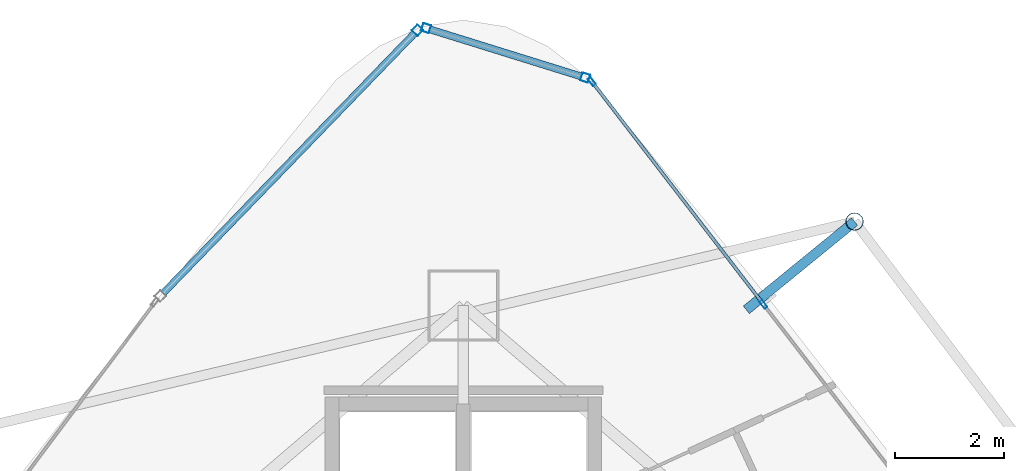
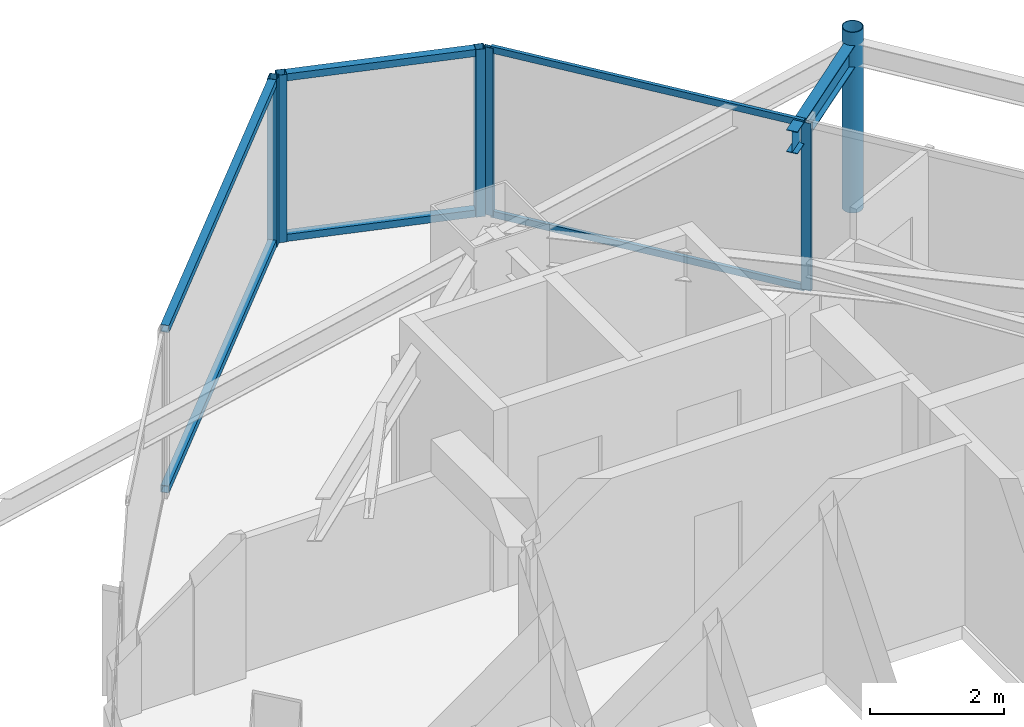
# One storey, part 26 of 34: 12 members, 1 beam, 3 elements without a shape of their own.
"""IFC4 building model written with IfcOpenShell, lengths in metres."""

import ifcopenshell
import ifcopenshell.guid

model = None  # the IFC model being written
_history = None  # IfcOwnerHistory: only IFC2X3 demands one
_inside = {}  # id of a spatial element -> (the spatial element, [elements in it])
_under = {}  # id of a project, library or spatial element -> (it, [spatial elements below it])
_declared = {}  # id of a project -> (the project, [libraries it declares])
_typed = {}  # id of a type object -> (the type object, [elements of that type])
_made_of = {}  # id of a material, layer set ... -> (it, [elements and type objects made of it])


def new_model(schema):
    """Start an empty IFC model of exactly this schema.

    Asked for "IFC4X3", IfcOpenShell would pick the latest addendum, in which some entities
    have other attributes; the version numbers below select the first issue.
    IFC2X3 requires an IfcOwnerHistory on every rooted entity: one is made here for all.
    """
    global model, _history
    if schema == "IFC4X3":
        model = ifcopenshell.file(schema_version=(4, 3, 0, 0))
    else:
        model = ifcopenshell.file(schema=schema)
    _inside.clear()
    _under.clear()
    _declared.clear()
    _typed.clear()
    _made_of.clear()
    _history = None
    if model.schema == "IFC2X3":
        org = make("IfcOrganization", Name="unknown")
        user = make(
            "IfcPersonAndOrganization",
            ThePerson=make("IfcPerson", FamilyName="unknown"),
            TheOrganization=org,
        )
        app = make(
            "IfcApplication",
            ApplicationDeveloper=org,
            Version="unknown",
            ApplicationFullName="unknown",
            ApplicationIdentifier="unknown",
        )
        _history = make(
            "IfcOwnerHistory",
            OwningUser=user,
            OwningApplication=app,
            ChangeAction="ADDED",
            CreationDate=0,
        )
    return model


def make(cls, **values):
    """One entity of the class cls with the attributes given. An attribute that is None is left unset."""
    return model.create_entity(
        cls, **{name: value for name, value in values.items() if value is not None}
    )


def rooted(cls, **values):
    """An entity with a GlobalId (a new one), such as an element, a storey or a relation."""
    return make(cls, GlobalId=ifcopenshell.guid.new(), OwnerHistory=_history, **values)


def si_unit(unit_type, name, prefix=None):
    """IfcSIUnit, for example si_unit("LENGTHUNIT", "METRE", prefix="MILLI")."""
    return make("IfcSIUnit", UnitType=unit_type, Prefix=prefix, Name=name)


def assignment(units):
    """IfcUnitAssignment: the units of a project."""
    return None if units is None else make("IfcUnitAssignment", Units=units)


def point(xyz):
    """IfcCartesianPoint."""
    return None if xyz is None else make("IfcCartesianPoint", Coordinates=xyz)


def direction(xyz):
    """IfcDirection."""
    return None if xyz is None else make("IfcDirection", DirectionRatios=xyz)


def frame(location, z_axis=None, x_axis=None):
    """IfcAxis2Placement3D, a coordinate frame: its origin and axes. An axis left out is left unset."""
    return make(
        "IfcAxis2Placement3D",
        Location=point(location),
        Axis=direction(z_axis),
        RefDirection=direction(x_axis),
    )


def frame_2d(location, x_axis=None):
    """IfcAxis2Placement2D, a coordinate frame in the plane: its origin and x axis."""
    return make(
        "IfcAxis2Placement2D", Location=point(location), RefDirection=direction(x_axis)
    )


def origin():
    """The frame at (0, 0, 0) with its axes left unset."""
    return frame((0.0, 0.0, 0.0))


def origin_2d():
    """The frame at (0, 0) in the plane with its x axis left unset."""
    return frame_2d((0.0, 0.0))


def place(relative_to, where):
    """IfcLocalPlacement: puts the frame where relative to a parent placement (None: the world)."""
    return make(
        "IfcLocalPlacement", PlacementRelTo=relative_to, RelativePlacement=where
    )


def context(
    kind, dimensions, precision=None, world=None, true_north=None, identifier=None
):
    """IfcGeometricRepresentationContext, for example the 3D "Model" context."""
    return make(
        "IfcGeometricRepresentationContext",
        ContextIdentifier=identifier,
        ContextType=kind,
        CoordinateSpaceDimension=dimensions,
        Precision=precision,
        WorldCoordinateSystem=world,
        TrueNorth=true_north,
    )


def subcontext(parent, identifier, kind, view, scale=None):
    """IfcGeometricRepresentationSubContext, for example "Body" below "Model"."""
    return make(
        "IfcGeometricRepresentationSubContext",
        ContextIdentifier=identifier,
        ContextType=kind,
        ParentContext=parent,
        TargetScale=scale,
        TargetView=view,
    )


def project(units=None, contexts=None):
    """IfcProject with its units and contexts."""
    return rooted(
        "IfcProject",
        Name="project",
        RepresentationContexts=contexts,
        UnitsInContext=assignment(units),
    )


def spatial(cls, under=None, at=None, **own):
    """A site, building, storey or space (cls), placed at a placement, below another one or the project."""
    s = rooted(cls, ObjectPlacement=at, **own)
    if under is not None:
        _under.setdefault(under.id(), (under, []))[1].append(s)
    return s


def profile(cls, at=None, kind="AREA", **sizes):
    """A parametric profile (cls). Its sizes go by their IFC names, for example OverallWidth=200.0."""
    return make(cls, ProfileType=kind, Position=at, **sizes)


def hollow_rectangle(**sizes):
    """IfcRectangleHollowProfileDef."""
    return profile("IfcRectangleHollowProfileDef", **sizes)


def hollow_circle(**sizes):
    """IfcCircleHollowProfileDef."""
    return profile("IfcCircleHollowProfileDef", **sizes)


def i_section(**sizes):
    """IfcIShapeProfileDef."""
    return profile("IfcIShapeProfileDef", **sizes)


def extrude(swept, where, along, depth):
    """IfcExtrudedAreaSolid: the profile swept, set in the frame where, extruded along a direction by depth."""
    return make(
        "IfcExtrudedAreaSolid",
        SweptArea=swept,
        Position=where,
        ExtrudedDirection=direction(along),
        Depth=depth,
    )


def shape(context_of_items, identifier, shape_type, items):
    """IfcShapeRepresentation: the items that make up one representation, for example the "Body"."""
    return make(
        "IfcShapeRepresentation",
        ContextOfItems=context_of_items,
        RepresentationIdentifier=identifier,
        RepresentationType=shape_type,
        Items=items,
    )


def material(Name=None, Category=None):
    """IfcMaterial."""
    return make("IfcMaterial", Name=Name, Category=Category)


def layer(
    of_material, thickness, ventilated=None, Name=None, Category=None, Priority=None
):
    """IfcMaterialLayer: one layer of a wall or slab, of a material (None: an air gap)."""
    return make(
        "IfcMaterialLayer",
        Material=of_material,
        LayerThickness=thickness,
        IsVentilated=ventilated,
        Name=Name,
        Category=Category,
        Priority=Priority,
    )


def layer_set(layers, Name=None):
    """IfcMaterialLayerSet."""
    return make("IfcMaterialLayerSet", MaterialLayers=layers, LayerSetName=Name)


def material_profile(
    of_material, cross_section, Name=None, Category=None, Priority=None
):
    """IfcMaterialProfile: a cross section and its material."""
    return make(
        "IfcMaterialProfile",
        Name=Name,
        Material=of_material,
        Profile=cross_section,
        Priority=Priority,
        Category=Category,
    )


def profile_set(profiles, Name=None, composite=None):
    """IfcMaterialProfileSet."""
    return make(
        "IfcMaterialProfileSet",
        Name=Name,
        MaterialProfiles=profiles,
        CompositeProfile=composite,
    )


def made_of(thing, what):
    """Note that an element or type object is made of a material, layer set ...; save() writes the relation."""
    if what is not None:
        _made_of.setdefault(what.id(), (what, []))[1].append(thing)
    return thing


def type_object(cls, material=None, **own):
    """A type object (cls), such as IfcWallType, which elements share."""
    return made_of(rooted(cls, **own), material)


def element(
    cls,
    number,
    at=None,
    inside=None,
    cuts=None,
    type_object=None,
    material=None,
    context=None,
    identifier="Body",
    shape_type=None,
    held_by="IfcProductDefinitionShape",
    body=None,
    shapes=None,
    **own,
):
    """One element of the class cls, such as IfcWall. Its Tag is "e" and its number.

    at: its placement. inside: the storey or other place that contains it. cuts: it is an
    opening in that element (IfcRelVoidsElement). A single representation is given by context,
    identifier, shape_type and body (its items); several are given by shapes. held_by: the class
    of the entity that holds the representations. save() writes the other relations.
    """
    e = rooted(cls, Tag="e%d" % number, ObjectPlacement=at, **own)
    if body is not None:
        shapes = [shape(context, identifier, shape_type, body)]
    if shapes is not None:
        e.Representation = make(held_by, Representations=shapes)
    if inside is not None:
        _inside.setdefault(inside.id(), (inside, []))[1].append(e)
    if cuts is not None:
        rooted(
            "IfcRelVoidsElement", RelatingBuildingElement=cuts, RelatedOpeningElement=e
        )
    if type_object is not None:
        _typed.setdefault(type_object.id(), (type_object, []))[1].append(e)
    return made_of(e, material)


def aggregate(whole, parts):
    """IfcRelAggregates: a whole, such as a stair, and the parts it consists of."""
    return rooted("IfcRelAggregates", RelatingObject=whole, RelatedObjects=parts)


def save(model, path):
    """Write the relations noted so far, then the file.

    IfcRelAggregates (storeys below a building ...), IfcRelContainedInSpatialStructure (elements
    in a storey), IfcRelDefinesByType, IfcRelAssociatesMaterial and IfcRelDeclares: one each for
    every whole, place, type object, material and project.
    """
    for whole, parts in _under.values():
        aggregate(whole, parts)
    for where, things in _inside.values():
        rooted(
            "IfcRelContainedInSpatialStructure",
            RelatedElements=things,
            RelatingStructure=where,
        )
    for kind, things in _typed.values():
        rooted("IfcRelDefinesByType", RelatedObjects=things, RelatingType=kind)
    for what, things in _made_of.values():
        rooted("IfcRelAssociatesMaterial", RelatedObjects=things, RelatingMaterial=what)
    for by, libraries in _declared.values():
        rooted("IfcRelDeclares", RelatingContext=by, RelatedDefinitions=libraries)
    model.write(path)


model = new_model("IFC4")

# Units and contexts
model_context = context("Model", 3, precision=1e-05, world=origin(), true_north=direction((0.0, 1.0)))
body_context = subcontext(model_context, "Body", "Model", "MODEL_VIEW")
ifc_project = project(units=[si_unit("LENGTHUNIT", "METRE"), si_unit("AREAUNIT", "SQUARE_METRE"), si_unit("VOLUMEUNIT", "CUBIC_METRE"), si_unit("PLANEANGLEUNIT", "RADIAN"), si_unit("MASSUNIT", "GRAM", prefix="KILO")], contexts=[model_context])

# Site, building, storey
site_placement = place(None, origin())
site = spatial("IfcSite", under=ifc_project, at=site_placement, CompositionType="ELEMENT")
building_placement = place(site_placement, origin())
building = spatial("IfcBuilding", under=site, at=building_placement, Name="Orvanel Arch Residences", CompositionType="ELEMENT")
storey_placement = place(building_placement, frame((0.0, 0.0, 199.699951171875)))
storey = spatial("IfcBuildingStorey", under=building, at=storey_placement, Name="L56", CompositionType="ELEMENT", Elevation=199.699951171875)

# Curtain wall, members
ifc_material_1 = material(Name="Bronze-anodised aluminium AA6063-T6", Category="aluminium")
ifc_layer_1 = layer(ifc_material_1, 0.18994140625)
ifc_layer_set_1 = layer_set([ifc_layer_1], Name="Bronze-anodised aluminium AA6063-T6")
curtain_wall_type_1 = type_object("IfcCurtainWallType", Name="CW5-CRN-SYS", PredefinedType="NOTDEFINED", material=ifc_layer_set_1)
curtain_wall_1_placement = place(storey_placement, origin())
curtain_wall_1 = element("IfcCurtainWall", 1, at=curtain_wall_1_placement, inside=storey, type_object=curtain_wall_type_1, Name="L56 CW5-CRN-SYS Unitised Curtain Wall", PredefinedType="NOTDEFINED")
ifc_material_profile_1 = material_profile(ifc_material_1, hollow_rectangle(XDim=0.14990234375, YDim=0.14990234375, WallThickness=0.0048828125, at=origin_2d()), Name="ALU150x150x5")
ifc_profile_set_1 = profile_set([ifc_material_profile_1], Name="Bronze-anodised aluminium AA6063-T6")
member_type_1 = type_object("IfcMemberType", Name="MUL-150x150", PredefinedType="MULLION", material=ifc_profile_set_1)
member_1_placement = place(storey_placement, frame((35.225341796875, 45.560302734375, 0.0), z_axis=(0.0, 0.0, 1.0), x_axis=(-0.297098267705, -0.954846908843, 0.0)))
member_1 = element("IfcMember", 2, at=member_1_placement, type_object=member_type_1, Name="CW-S5 mullion 1", PredefinedType="MULLION", context=body_context, shape_type="SweptSolid", body=[
    extrude(hollow_rectangle(XDim=0.14990234375, YDim=0.14990234375, WallThickness=0.0048828125, at=origin_2d()), origin(), (0.0, 0.0, 1.0), 3.06005859375),
])
member_2_placement = place(storey_placement, frame((32.318603515625, 46.464599609375, 0.0), z_axis=(0.0, 0.0, 1.0), x_axis=(-0.297098267705, -0.954846908843, 0.0)))
member_2 = element("IfcMember", 3, at=member_2_placement, type_object=member_type_1, Name="CW-S5 mullion 2", PredefinedType="MULLION", context=body_context, shape_type="SweptSolid", body=[
    extrude(hollow_rectangle(XDim=0.14990234375, YDim=0.14990234375, WallThickness=0.0048828125, at=origin_2d()), origin(), (0.0, 0.0, 1.0), 3.06005859375),
])

# Curtain wall, member
curtain_wall_2_placement = place(storey_placement, origin())
curtain_wall_2 = element("IfcCurtainWall", 4, at=curtain_wall_2_placement, inside=storey, type_object=curtain_wall_type_1, Name="L56 CW5-CRN-SYS Unitised Curtain Wall", PredefinedType="NOTDEFINED")
member_3_placement = place(storey_placement, frame((32.161865234375, 46.425048828125, 0.0), z_axis=(0.0, 0.0, 1.0), x_axis=(0.718665152295, -0.695356310733, 0.0)))
member_3 = element("IfcMember", 5, at=member_3_placement, type_object=member_type_1, Name="CW-S5 mullion 1", PredefinedType="MULLION", context=body_context, shape_type="SweptSolid", body=[
    extrude(hollow_rectangle(XDim=0.14990234375, YDim=0.14990234375, WallThickness=0.0048828125, at=origin_2d()), origin(), (0.0, 0.0, 1.0), 3.06005859375),
])

# Curtain wall, members
ifc_layer_2 = layer(ifc_material_1, 0.175048828125)
ifc_layer_set_2 = layer_set([ifc_layer_2], Name="Bronze-anodised aluminium AA6063-T6")
curtain_wall_type_2 = type_object("IfcCurtainWallType", Name="CW4-HI-SYS", PredefinedType="NOTDEFINED", material=ifc_layer_set_2)
curtain_wall_3_placement = place(storey_placement, origin())
curtain_wall_3 = element("IfcCurtainWall", 6, at=curtain_wall_3_placement, inside=storey, type_object=curtain_wall_type_2, Name="L56 CW4-HI-SYS Unitised Curtain Wall", PredefinedType="NOTDEFINED")
ifc_material_profile_2 = material_profile(ifc_material_1, hollow_rectangle(XDim=0.06494140625, YDim=0.159912109375, WallThickness=0.00390625, at=origin_2d()), Name="ALU160x65x4")
ifc_profile_set_2 = profile_set([ifc_material_profile_2], Name="Bronze-anodised aluminium AA6063-T6")
member_type_2 = type_object("IfcMemberType", Name="MUL-160x65", PredefinedType="MULLION", material=ifc_profile_set_2)
member_4_placement = place(storey_placement, frame((38.48193359375, 41.42041015625, 0.0), z_axis=(0.0, 0.0, 1.0), x_axis=(-0.792297867049, -0.610134485069, 0.0)))
member_4 = element("IfcMember", 7, at=member_4_placement, type_object=member_type_2, Name="CW-S4 mullion 3", PredefinedType="MULLION", context=body_context, shape_type="SweptSolid", body=[
    extrude(hollow_rectangle(XDim=0.06494140625, YDim=0.159912109375, WallThickness=0.00390625, at=origin_2d()), origin(), (0.0, 0.0, 1.0), 3.06005859375),
])
member_5_placement = place(storey_placement, frame((35.347900390625, 45.490234375, 0.0), z_axis=(0.0, 0.0, 1.0), x_axis=(-0.792297867049, -0.610134485069, 0.0)))
member_5 = element("IfcMember", 8, at=member_5_placement, type_object=member_type_2, Name="CW-S4 mullion 4", PredefinedType="MULLION", context=body_context, shape_type="SweptSolid", body=[
    extrude(hollow_rectangle(XDim=0.06494140625, YDim=0.159912109375, WallThickness=0.00390625, at=origin_2d()), origin(), (0.0, 0.0, 1.0), 3.06005859375),
])

# Beam
ifc_material_2 = material(Name="Structural steel AS/NZS 3679.1 Grade 300 (300 MPa)", Category="steel")
ifc_material_profile_3 = material_profile(ifc_material_2, i_section(OverallWidth=0.177978515625, OverallDepth=0.406005859375, WebThickness=0.0078125, FlangeThickness=0.0126953125, at=origin_2d()), Name="410UB59.7")
ifc_profile_set_3 = profile_set([ifc_material_profile_3], Name="Structural steel AS/NZS 3679.1 Grade 300 (300 MPa)")
beam_type = type_object("IfcBeamType", Name="OB-410UB-EXT", PredefinedType="SPANDREL", material=ifc_profile_set_3)
beam_placement = place(storey_placement, frame((38.169921875, 41.319091796875, 2.85693359375), z_axis=(0.775064840206, 0.631881708452, 0.0), x_axis=(-0.631881708452, 0.775064840206, 0.0)))
element("IfcBeam", 9, at=beam_placement, inside=storey, type_object=beam_type, Name="L56 Outer Frame Radial Tie Beam 12", PredefinedType="SPANDREL", context=body_context, shape_type="SweptSolid", body=[
    extrude(i_section(OverallWidth=0.177978515625, OverallDepth=0.406005859375, WebThickness=0.0078125, FlangeThickness=0.0126953125, at=origin_2d()), origin(), (0.0, 0.0, 1.0), 2.55078125),
])

# Member
ifc_material_3 = material(Name="Structural steel AS/NZS 1163 C350L0 (Grade 350)", Category="steel")
ifc_material_profile_4 = material_profile(ifc_material_3, hollow_circle(Radius=0.162109375, WallThickness=0.0126953125, at=origin_2d()), Name="CHS324x12.7")
ifc_profile_set_4 = profile_set([ifc_material_profile_4], Name="Structural steel AS/NZS 1163 C350L0 (Grade 350)")
member_type_3 = type_object("IfcMemberType", Name="ST-324CHS-EXT", PredefinedType="STRUT", material=ifc_profile_set_4)
member_6_placement = place(storey_placement, frame((40.14697265625, 42.930908203125, 0.0), z_axis=(0.0, 0.0, 1.0), x_axis=(1.0, 0.0, 0.0)))
element("IfcMember", 10, at=member_6_placement, inside=storey, type_object=member_type_3, Name="L56 Outer Perimeter Frame Post 12", PredefinedType="STRUT", context=body_context, shape_type="SweptSolid", body=[
    extrude(hollow_circle(Radius=0.162109375, WallThickness=0.0126953125, at=origin_2d()), origin(), (0.0, 0.0, 1.0), 3.300048828125),
])

ifc_material_profile_5 = material_profile(ifc_material_1, hollow_rectangle(XDim=0.06005859375, YDim=0.1201171875, WallThickness=0.00341796875, at=origin_2d()), Name="ALU120x60x3.5")
ifc_profile_set_5 = profile_set([ifc_material_profile_5], Name="Bronze-anodised aluminium AA6063-T6")
member_type_4 = type_object("IfcMemberType", Name="TRN-120x60", PredefinedType="USERDEFINED", material=ifc_profile_set_5)
member_7_placement = place(storey_placement, frame((38.462158203125, 41.446044921875, 0.030029296875), z_axis=(-0.610117774553, 0.792310735238, 0.0), x_axis=(-0.792310735238, -0.610117774553, 0.0)))
member_7 = element("IfcMember", 11, at=member_7_placement, type_object=member_type_4, Name="CW-S4 transom 3.1", ObjectType="TRANSOM", PredefinedType="USERDEFINED", context=body_context, shape_type="SweptSolid", body=[
    extrude(hollow_rectangle(XDim=0.06005859375, YDim=0.1201171875, WallThickness=0.00341796875, at=origin_2d()), origin(), (0.0, 0.0, 1.0), 5.072021484375),
])

member_8_placement = place(storey_placement, frame((38.462158203125, 41.446044921875, 3.030029296875), z_axis=(-0.610117774553, 0.792310735238, 0.0), x_axis=(-0.792310735238, -0.610117774553, 0.0)))
member_8 = element("IfcMember", 12, at=member_8_placement, type_object=member_type_4, Name="CW-S4 transom 3.2", ObjectType="TRANSOM", PredefinedType="USERDEFINED", context=body_context, shape_type="SweptSolid", body=[
    extrude(hollow_rectangle(XDim=0.06005859375, YDim=0.1201171875, WallThickness=0.00341796875, at=origin_2d()), origin(), (0.0, 0.0, 1.0), 5.072021484375),
])

aggregate(curtain_wall_3, [member_4, member_5, member_7, member_8])

ifc_material_profile_6 = material_profile(ifc_material_1, hollow_rectangle(XDim=0.1298828125, YDim=0.1298828125, WallThickness=0.00439453125, at=origin_2d()), Name="ALU130x130x4.5")
ifc_profile_set_6 = profile_set([ifc_material_profile_6], Name="Bronze-anodised aluminium AA6063-T6")
member_type_5 = type_object("IfcMemberType", Name="TRN-130x130", PredefinedType="USERDEFINED", material=ifc_profile_set_6)
member_9_placement = place(storey_placement, frame((35.15380859375, 45.58251953125, 0.06494140625), z_axis=(-0.954851459151, 0.297083643033, 0.0), x_axis=(-0.297083643033, -0.954851459151, 0.0)))
member_9 = element("IfcMember", 13, at=member_9_placement, type_object=member_type_5, Name="CW-S5 transom 1.1", ObjectType="TRANSOM", PredefinedType="USERDEFINED", context=body_context, shape_type="SweptSolid", body=[
    extrude(hollow_rectangle(XDim=0.1298828125, YDim=0.1298828125, WallThickness=0.00439453125, at=origin_2d()), origin(), (0.0, 0.0, 1.0), 2.894287109375),
])

member_10_placement = place(storey_placement, frame((35.15380859375, 45.58251953125, 2.9951171875), z_axis=(-0.954851459151, 0.297083643033, 0.0), x_axis=(-0.297083643033, -0.954851459151, 0.0)))
member_10 = element("IfcMember", 14, at=member_10_placement, type_object=member_type_5, Name="CW-S5 transom 1.2", ObjectType="TRANSOM", PredefinedType="USERDEFINED", context=body_context, shape_type="SweptSolid", body=[
    extrude(hollow_rectangle(XDim=0.1298828125, YDim=0.1298828125, WallThickness=0.00439453125, at=origin_2d()), origin(), (0.0, 0.0, 1.0), 2.894287109375),
])

aggregate(curtain_wall_1, [member_1, member_2, member_9, member_10])

member_11_placement = place(storey_placement, frame((32.109619140625, 46.37109375, 0.06494140625), z_axis=(-0.69535248533, -0.718668853607, 0.0), x_axis=(0.718668853607, -0.69535248533, 0.0)))
member_11 = element("IfcMember", 15, at=member_11_placement, type_object=member_type_5, Name="CW-S5 transom 1.1", ObjectType="TRANSOM", PredefinedType="USERDEFINED", context=body_context, shape_type="SweptSolid", body=[
    extrude(hollow_rectangle(XDim=0.1298828125, YDim=0.1298828125, WallThickness=0.00439453125, at=origin_2d()), origin(), (0.0, 0.0, 1.0), 6.607177734375),
])

member_12_placement = place(storey_placement, frame((32.109619140625, 46.37109375, 2.9951171875), z_axis=(-0.69535248533, -0.718668853607, 0.0), x_axis=(0.718668853607, -0.69535248533, 0.0)))
member_12 = element("IfcMember", 16, at=member_12_placement, type_object=member_type_5, Name="CW-S5 transom 1.2", ObjectType="TRANSOM", PredefinedType="USERDEFINED", context=body_context, shape_type="SweptSolid", body=[
    extrude(hollow_rectangle(XDim=0.1298828125, YDim=0.1298828125, WallThickness=0.00439453125, at=origin_2d()), origin(), (0.0, 0.0, 1.0), 6.607177734375),
])

aggregate(curtain_wall_2, [member_3, member_11, member_12])

save(model, "model.ifc")
